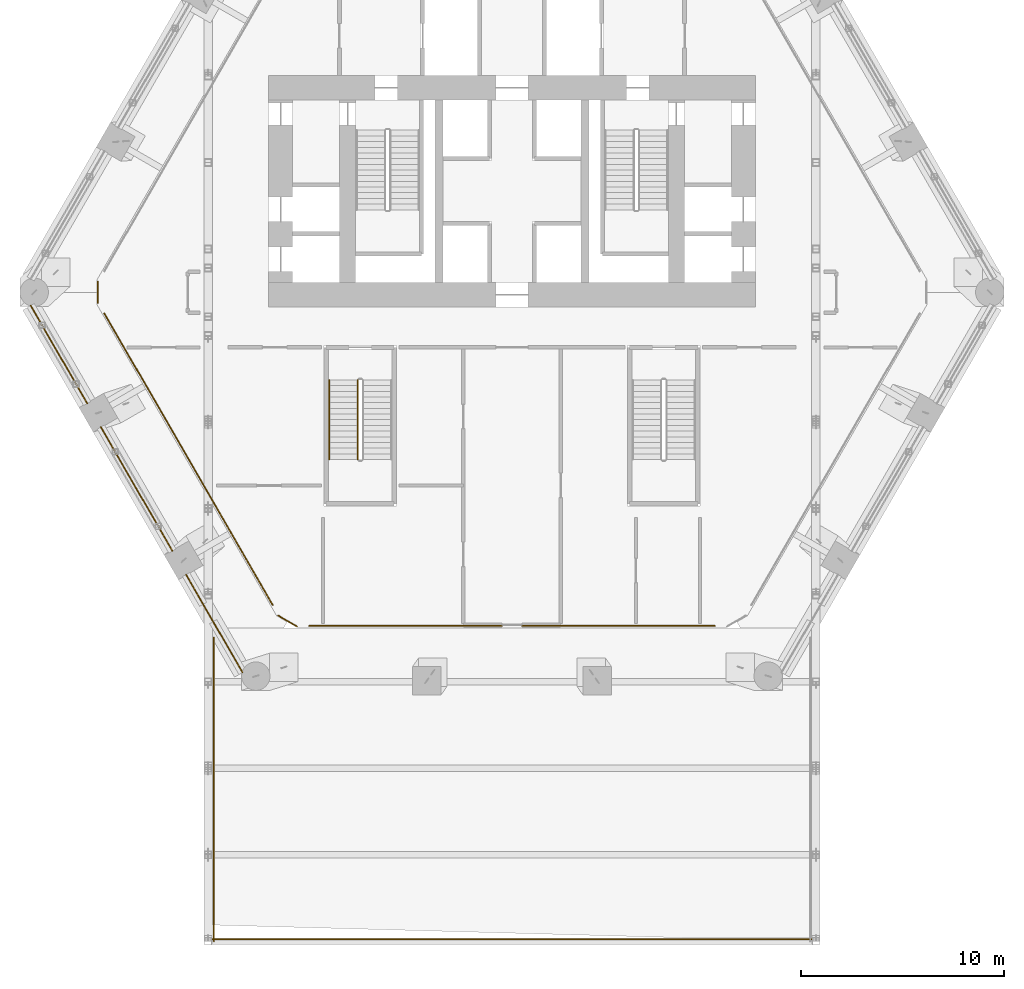
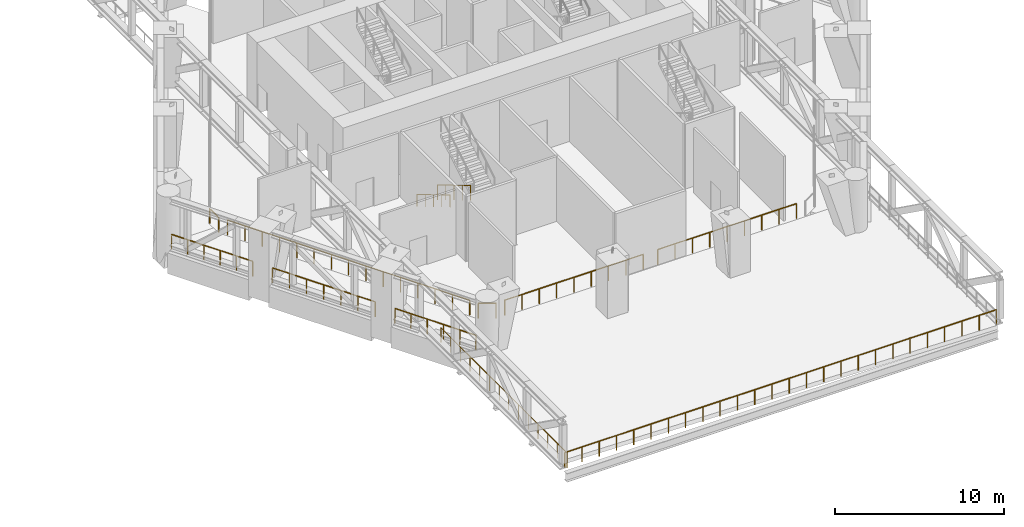
# One storey, part 16 of 20: 12 railings.
"""IFC4 building model written with IfcOpenShell, lengths in metres."""

from ifc_helpers import new_model, si_unit, direction, frame, origin, origin_2d, place, context, subcontext, project, spatial, circle, extrude, material, type_object, element, save


model = new_model("IFC4")

# Units and contexts
model_context = context("Model", 3, precision=1e-05, world=origin(), true_north=direction((0.0, 1.0)))
body_context = subcontext(model_context, "Body", "Model", "MODEL_VIEW")
ifc_project = project(units=[si_unit("LENGTHUNIT", "METRE"), si_unit("AREAUNIT", "SQUARE_METRE"), si_unit("VOLUMEUNIT", "CUBIC_METRE"), si_unit("PLANEANGLEUNIT", "RADIAN"), si_unit("MASSUNIT", "GRAM", prefix="KILO")], contexts=[model_context])

# Site, building, storey
site_placement = place(None, origin())
site = spatial("IfcSite", under=ifc_project, at=site_placement, CompositionType="ELEMENT")
building_placement = place(site_placement, origin())
building = spatial("IfcBuilding", under=site, at=building_placement, Name="Ostrander Bayou Hotel Tower", CompositionType="ELEMENT")
storey_placement = place(building_placement, frame((0.0, 0.0, 80.5)))
storey = spatial("IfcBuildingStorey", under=building, at=storey_placement, Name="L20", CompositionType="ELEMENT", Elevation=80.5)

# Railings
ifc_material_1 = material(Name="Stainless steel and clear glass", Category="steel")
railing_type_1 = type_object("IfcRailingType", Name="GR1 guard 1100 mm", PredefinedType="GUARDRAIL", material=ifc_material_1)
railing_1_placement = place(storey_placement, frame((-23.707275390625, -1.637939453125, 0.0)))
element("IfcRailing", 1, at=railing_1_placement, inside=storey, type_object=railing_type_1, Name="GR1 L20 SW-1 open band guard", PredefinedType="GUARDRAIL", context=body_context, shape_type="SweptSolid", body=[
    extrude(circle(Radius=0.02490234375, at=origin_2d()), frame((0.0, 0.0, 1.0751953125), z_axis=(0.500009557824, -0.866019885502, 0.0), x_axis=(0.866019885502, 0.500009557824, 0.0)), (0.0, 0.0, 1.0), 5.56982421875),
    extrude(circle(Radius=0.02001953125, at=origin_2d()), origin(), (0.0, 0.0, 1.0), 1.050048828125),
    extrude(circle(Radius=0.02001953125, at=origin_2d()), frame((0.556884765625, -0.964599609375, 0.0)), (0.0, 0.0, 1.0), 1.050048828125),
    extrude(circle(Radius=0.02001953125, at=origin_2d()), frame((1.114013671875, -1.929443359375, 0.0)), (0.0, 0.0, 1.0), 1.050048828125),
    extrude(circle(Radius=0.02001953125, at=origin_2d()), frame((1.6708984375, -2.89404296875, 0.0)), (0.0, 0.0, 1.0), 1.050048828125),
    extrude(circle(Radius=0.02001953125, at=origin_2d()), frame((2.22802734375, -3.85888671875, 0.0)), (0.0, 0.0, 1.0), 1.050048828125),
    extrude(circle(Radius=0.02001953125, at=origin_2d()), frame((2.784912109375, -4.823486328125, 0.0)), (0.0, 0.0, 1.0), 1.050048828125),
])
railing_2_placement = place(storey_placement, frame((-20.252197265625, -7.621826171875, 0.0)))
element("IfcRailing", 2, at=railing_2_placement, inside=storey, type_object=railing_type_1, Name="GR1 L20 SW-2 open band guard", PredefinedType="GUARDRAIL", context=body_context, shape_type="SweptSolid", body=[
    extrude(circle(Radius=0.02490234375, at=origin_2d()), frame((0.0, 0.0, 1.0751953125), z_axis=(0.499997206141, -0.866027016814, 0.0), x_axis=(0.866027016814, 0.499997206141, 0.0)), (0.0, 0.0, 1.0), 7.05078125),
    extrude(circle(Radius=0.02001953125, at=origin_2d()), origin(), (0.0, 0.0, 1.0), 1.050048828125),
    extrude(circle(Radius=0.02001953125, at=origin_2d()), frame((0.587646484375, -1.017578125, 0.0)), (0.0, 0.0, 1.0), 1.050048828125),
    extrude(circle(Radius=0.02001953125, at=origin_2d()), frame((1.175048828125, -2.035400390625, 0.0)), (0.0, 0.0, 1.0), 1.050048828125),
    extrude(circle(Radius=0.02001953125, at=origin_2d()), frame((1.7626953125, -3.05322265625, 0.0)), (0.0, 0.0, 1.0), 1.050048828125),
    extrude(circle(Radius=0.02001953125, at=origin_2d()), frame((2.350341796875, -4.07080078125, 0.0)), (0.0, 0.0, 1.0), 1.050048828125),
    extrude(circle(Radius=0.02001953125, at=origin_2d()), frame((2.937744140625, -5.08837890625, 0.0)), (0.0, 0.0, 1.0), 1.050048828125),
    extrude(circle(Radius=0.02001953125, at=origin_2d()), frame((3.525390625, -6.106201171875, 0.0)), (0.0, 0.0, 1.0), 1.050048828125),
])
railing_3_placement = place(storey_placement, frame((-16.056884765625, -14.888671875, 0.0)))
element("IfcRailing", 3, at=railing_3_placement, inside=storey, type_object=railing_type_1, Name="GR1 L20 SW-3 open band guard", PredefinedType="GUARDRAIL", context=body_context, shape_type="SweptSolid", body=[
    extrude(circle(Radius=0.02490234375, at=origin_2d()), frame((0.0, 0.0, 1.0751953125), z_axis=(0.499976681983, -0.866038866029, 0.0), x_axis=(0.866038866029, 0.499976681983, 0.0)), (0.0, 0.0, 1.0), 5.569580078125),
    extrude(circle(Radius=0.02001953125, at=origin_2d()), origin(), (0.0, 0.0, 1.0), 1.050048828125),
    extrude(circle(Radius=0.02001953125, at=origin_2d()), frame((0.556884765625, -0.964599609375, 0.0)), (0.0, 0.0, 1.0), 1.050048828125),
    extrude(circle(Radius=0.02001953125, at=origin_2d()), frame((1.11376953125, -1.929443359375, 0.0)), (0.0, 0.0, 1.0), 1.050048828125),
    extrude(circle(Radius=0.02001953125, at=origin_2d()), frame((1.6708984375, -2.89404296875, 0.0)), (0.0, 0.0, 1.0), 1.050048828125),
    extrude(circle(Radius=0.02001953125, at=origin_2d()), frame((2.227783203125, -3.85888671875, 0.0)), (0.0, 0.0, 1.0), 1.050048828125),
    extrude(circle(Radius=0.02001953125, at=origin_2d()), frame((2.78466796875, -4.823486328125, 0.0)), (0.0, 0.0, 1.0), 1.050048828125),
])
railing_4_placement = place(storey_placement, frame((-20.40087890625, -0.449462890625, 0.0)))
element("IfcRailing", 4, at=railing_4_placement, inside=storey, type_object=railing_type_1, Name="GR1 L20 corner guard 2", PredefinedType="GUARDRAIL", context=body_context, shape_type="SweptSolid", body=[
    extrude(circle(Radius=0.02490234375, at=origin_2d()), frame((0.0, 0.0, 1.0751953125), z_axis=(0.0, -1.0, 0.0), x_axis=(1.0, 0.0, 0.0)), (0.0, 0.0, 1.0), 1.06494140625),
    extrude(circle(Radius=0.02001953125, at=origin_2d()), origin(), (0.0, 0.0, 1.0), 1.050048828125),
    extrude(circle(Radius=0.02001953125, at=origin_2d()), frame((0.0, -1.06494140625, 0.0)), (0.0, 0.0, 1.0), 1.050048828125),
])
railing_5_placement = place(storey_placement, frame((-11.511962890625, -16.91064453125, 0.0)))
element("IfcRailing", 5, at=railing_5_placement, inside=storey, type_object=railing_type_1, Name="GR1 L20 corner guard 3", PredefinedType="GUARDRAIL", context=body_context, shape_type="SweptSolid", body=[
    extrude(circle(Radius=0.02490234375, at=origin_2d()), frame((0.0, 0.0, 1.0751953125), z_axis=(0.866048165231, -0.499960573946, 0.0), x_axis=(0.499960573946, 0.866048165231, 0.0)), (0.0, 0.0, 1.0), 1.06494140625),
    extrude(circle(Radius=0.02001953125, at=origin_2d()), origin(), (0.0, 0.0, 1.0), 1.050048828125),
    extrude(circle(Radius=0.02001953125, at=origin_2d()), frame((0.92236328125, -0.532470703125, 0.0)), (0.0, 0.0, 1.0), 1.050048828125),
])
railing_6_placement = place(storey_placement, frame((-11.789794921875, -16.37939453125, 0.0)))
element("IfcRailing", 6, at=railing_6_placement, inside=storey, type_object=railing_type_1, Name="GR1 L20 edge guard 5", PredefinedType="GUARDRAIL", context=body_context, shape_type="SweptSolid", body=[
    extrude(circle(Radius=0.02490234375, at=origin_2d()), frame((0.0, 0.0, 1.0751953125), z_axis=(-0.499996921781, 0.866027180988, 0.0), x_axis=(-0.866027180988, -0.499996921781, 0.0)), (0.0, 0.0, 1.0), 16.580078125),
    extrude(circle(Radius=0.02001953125, at=origin_2d()), origin(), (0.0, 0.0, 1.0), 1.050048828125),
    extrude(circle(Radius=0.02001953125, at=origin_2d()), frame((-0.592041015625, 1.025634765625, 0.0)), (0.0, 0.0, 1.0), 1.050048828125),
    extrude(circle(Radius=0.02001953125, at=origin_2d()), frame((-1.184326171875, 2.05126953125, 0.0)), (0.0, 0.0, 1.0), 1.050048828125),
    extrude(circle(Radius=0.02001953125, at=origin_2d()), frame((-1.7763671875, 3.076904296875, 0.0)), (0.0, 0.0, 1.0), 1.050048828125),
    extrude(circle(Radius=0.02001953125, at=origin_2d()), frame((-2.36865234375, 4.1025390625, 0.0)), (0.0, 0.0, 1.0), 1.050048828125),
    extrude(circle(Radius=0.02001953125, at=origin_2d()), frame((-2.960693359375, 5.128173828125, 0.0)), (0.0, 0.0, 1.0), 1.050048828125),
    extrude(circle(Radius=0.02001953125, at=origin_2d()), frame((-3.552978515625, 6.15380859375, 0.0)), (0.0, 0.0, 1.0), 1.050048828125),
    extrude(circle(Radius=0.02001953125, at=origin_2d()), frame((-4.14501953125, 7.179443359375, 0.0)), (0.0, 0.0, 1.0), 1.050048828125),
    extrude(circle(Radius=0.02001953125, at=origin_2d()), frame((-4.737060546875, 8.205078125, 0.0)), (0.0, 0.0, 1.0), 1.050048828125),
    extrude(circle(Radius=0.02001953125, at=origin_2d()), frame((-5.329345703125, 9.230712890625, 0.0)), (0.0, 0.0, 1.0), 1.050048828125),
    extrude(circle(Radius=0.02001953125, at=origin_2d()), frame((-5.92138671875, 10.25634765625, 0.0)), (0.0, 0.0, 1.0), 1.050048828125),
    extrude(circle(Radius=0.02001953125, at=origin_2d()), frame((-6.513671875, 11.281982421875, 0.0)), (0.0, 0.0, 1.0), 1.050048828125),
    extrude(circle(Radius=0.02001953125, at=origin_2d()), frame((-7.105712890625, 12.3076171875, 0.0)), (0.0, 0.0, 1.0), 1.050048828125),
    extrude(circle(Radius=0.02001953125, at=origin_2d()), frame((-7.697998046875, 13.333251953125, 0.0)), (0.0, 0.0, 1.0), 1.050048828125),
    extrude(circle(Radius=0.02001953125, at=origin_2d()), frame((-8.2900390625, 14.35888671875, 0.0)), (0.0, 0.0, 1.0), 1.050048828125),
])
railing_7_placement = place(storey_placement, frame((-14.687255859375, -17.98779296875, 0.0)))
element("IfcRailing", 7, at=railing_7_placement, inside=storey, type_object=railing_type_1, Name="GR1 bar roof guard SB1 2", PredefinedType="GUARDRAIL", context=body_context, shape_type="SweptSolid", body=[
    extrude(circle(Radius=0.02490234375, at=origin_2d()), frame((0.0, 0.0, 1.0751953125), z_axis=(0.0, -1.0, 0.0), x_axis=(1.0, 0.0, 0.0)), (0.0, 0.0, 1.0), 14.962158203125),
    extrude(circle(Radius=0.02001953125, at=origin_2d()), origin(), (0.0, 0.0, 1.0), 1.050048828125),
    extrude(circle(Radius=0.02001953125, at=origin_2d()), frame((0.0, -1.15087890625, 0.0)), (0.0, 0.0, 1.0), 1.050048828125),
    extrude(circle(Radius=0.02001953125, at=origin_2d()), frame((0.0, -2.3017578125, 0.0)), (0.0, 0.0, 1.0), 1.050048828125),
    extrude(circle(Radius=0.02001953125, at=origin_2d()), frame((0.0, -3.452880859375, 0.0)), (0.0, 0.0, 1.0), 1.050048828125),
    extrude(circle(Radius=0.02001953125, at=origin_2d()), frame((0.0, -4.603759765625, 0.0)), (0.0, 0.0, 1.0), 1.050048828125),
    extrude(circle(Radius=0.02001953125, at=origin_2d()), frame((0.0, -5.754638671875, 0.0)), (0.0, 0.0, 1.0), 1.050048828125),
    extrude(circle(Radius=0.02001953125, at=origin_2d()), frame((0.0, -6.905517578125, 0.0)), (0.0, 0.0, 1.0), 1.050048828125),
    extrude(circle(Radius=0.02001953125, at=origin_2d()), frame((0.0, -8.056640625, 0.0)), (0.0, 0.0, 1.0), 1.050048828125),
    extrude(circle(Radius=0.02001953125, at=origin_2d()), frame((0.0, -9.20751953125, 0.0)), (0.0, 0.0, 1.0), 1.050048828125),
    extrude(circle(Radius=0.02001953125, at=origin_2d()), frame((0.0, -10.3583984375, 0.0)), (0.0, 0.0, 1.0), 1.050048828125),
    extrude(circle(Radius=0.02001953125, at=origin_2d()), frame((0.0, -11.50927734375, 0.0)), (0.0, 0.0, 1.0), 1.050048828125),
    extrude(circle(Radius=0.02001953125, at=origin_2d()), frame((0.0, -12.660400390625, 0.0)), (0.0, 0.0, 1.0), 1.050048828125),
    extrude(circle(Radius=0.02001953125, at=origin_2d()), frame((0.0, -13.811279296875, 0.0)), (0.0, 0.0, 1.0), 1.050048828125),
    extrude(circle(Radius=0.02001953125, at=origin_2d()), frame((0.0, -14.962158203125, 0.0)), (0.0, 0.0, 1.0), 1.050048828125),
])
railing_8_placement = place(storey_placement, frame((-14.787109375, -32.85009765625, 0.0)))
element("IfcRailing", 8, at=railing_8_placement, inside=storey, type_object=railing_type_1, Name="GR1 bar roof guard SB1 3", PredefinedType="GUARDRAIL", context=body_context, shape_type="SweptSolid", body=[
    extrude(circle(Radius=0.02490234375, at=origin_2d()), frame((0.0, 0.0, 1.0751953125), z_axis=(1.0, 0.0, 0.0), x_axis=(0.0, 1.0, 0.0)), (0.0, 0.0, 1.0), 29.57421875),
    extrude(circle(Radius=0.02001953125, at=origin_2d()), origin(), (0.0, 0.0, 1.0), 1.050048828125),
    extrude(circle(Radius=0.02001953125, at=origin_2d()), frame((1.182861328125, 0.0, 0.0)), (0.0, 0.0, 1.0), 1.050048828125),
    extrude(circle(Radius=0.02001953125, at=origin_2d()), frame((2.365966796875, 0.0, 0.0)), (0.0, 0.0, 1.0), 1.050048828125),
    extrude(circle(Radius=0.02001953125, at=origin_2d()), frame((3.548828125, 0.0, 0.0)), (0.0, 0.0, 1.0), 1.050048828125),
    extrude(circle(Radius=0.02001953125, at=origin_2d()), frame((4.73193359375, 0.0, 0.0)), (0.0, 0.0, 1.0), 1.050048828125),
    extrude(circle(Radius=0.02001953125, at=origin_2d()), frame((5.914794921875, 0.0, 0.0)), (0.0, 0.0, 1.0), 1.050048828125),
    extrude(circle(Radius=0.02001953125, at=origin_2d()), frame((7.097900390625, 0.0, 0.0)), (0.0, 0.0, 1.0), 1.050048828125),
    extrude(circle(Radius=0.02001953125, at=origin_2d()), frame((8.28076171875, 0.0, 0.0)), (0.0, 0.0, 1.0), 1.050048828125),
    extrude(circle(Radius=0.02001953125, at=origin_2d()), frame((9.4638671875, 0.0, 0.0)), (0.0, 0.0, 1.0), 1.050048828125),
    extrude(circle(Radius=0.02001953125, at=origin_2d()), frame((10.646728515625, 0.0, 0.0)), (0.0, 0.0, 1.0), 1.050048828125),
    extrude(circle(Radius=0.02001953125, at=origin_2d()), frame((11.82958984375, 0.0, 0.0)), (0.0, 0.0, 1.0), 1.050048828125),
    extrude(circle(Radius=0.02001953125, at=origin_2d()), frame((13.0126953125, 0.0, 0.0)), (0.0, 0.0, 1.0), 1.050048828125),
    extrude(circle(Radius=0.02001953125, at=origin_2d()), frame((14.195556640625, 0.0, 0.0)), (0.0, 0.0, 1.0), 1.050048828125),
    extrude(circle(Radius=0.02001953125, at=origin_2d()), frame((15.378662109375, 0.0, 0.0)), (0.0, 0.0, 1.0), 1.050048828125),
    extrude(circle(Radius=0.02001953125, at=origin_2d()), frame((16.5615234375, 0.0, 0.0)), (0.0, 0.0, 1.0), 1.050048828125),
    extrude(circle(Radius=0.02001953125, at=origin_2d()), frame((17.74462890625, 0.0, 0.0)), (0.0, 0.0, 1.0), 1.050048828125),
    extrude(circle(Radius=0.02001953125, at=origin_2d()), frame((18.927490234375, 0.0, 0.0)), (0.0, 0.0, 1.0), 1.050048828125),
    extrude(circle(Radius=0.02001953125, at=origin_2d()), frame((20.1103515625, 0.0, 0.0)), (0.0, 0.0, 1.0), 1.050048828125),
    extrude(circle(Radius=0.02001953125, at=origin_2d()), frame((21.29345703125, 0.0, 0.0)), (0.0, 0.0, 1.0), 1.050048828125),
    extrude(circle(Radius=0.02001953125, at=origin_2d()), frame((22.476318359375, 0.0, 0.0)), (0.0, 0.0, 1.0), 1.050048828125),
    extrude(circle(Radius=0.02001953125, at=origin_2d()), frame((23.659423828125, 0.0, 0.0)), (0.0, 0.0, 1.0), 1.050048828125),
    extrude(circle(Radius=0.02001953125, at=origin_2d()), frame((24.84228515625, 0.0, 0.0)), (0.0, 0.0, 1.0), 1.050048828125),
    extrude(circle(Radius=0.02001953125, at=origin_2d()), frame((26.025390625, 0.0, 0.0)), (0.0, 0.0, 1.0), 1.050048828125),
    extrude(circle(Radius=0.02001953125, at=origin_2d()), frame((27.208251953125, 0.0, 0.0)), (0.0, 0.0, 1.0), 1.050048828125),
    extrude(circle(Radius=0.02001953125, at=origin_2d()), frame((28.391357421875, 0.0, 0.0)), (0.0, 0.0, 1.0), 1.050048828125),
    extrude(circle(Radius=0.02001953125, at=origin_2d()), frame((29.57421875, 0.0, 0.0)), (0.0, 0.0, 1.0), 1.050048828125),
])
for number, where, name in (
    (9, (9.99072265625, -17.418212890625, 0.0), "GR1 L20 edge guard 4"),
    (10, (-0.5, -17.418212890625, 0.0), "GR1 L20 edge guard 4"),
):
    element("IfcRailing", number, at=place(storey_placement, frame(where)), inside=storey, type_object=railing_type_1, Name=name, PredefinedType="GUARDRAIL", context=body_context, shape_type="SweptSolid", body=[
        extrude(circle(Radius=0.02490234375, at=origin_2d()), frame((0.0, 0.0, 1.0751953125), z_axis=(-1.0, 0.0, 0.0), x_axis=(0.0, -1.0, 0.0)), (0.0, 0.0, 1.0), 9.49072265625),
        extrude(circle(Radius=0.02001953125, at=origin_2d()), origin(), (0.0, 0.0, 1.0), 1.050048828125),
        extrude(circle(Radius=0.02001953125, at=origin_2d()), frame((-1.186279296875, 0.0, 0.0)), (0.0, 0.0, 1.0), 1.050048828125),
        extrude(circle(Radius=0.02001953125, at=origin_2d()), frame((-2.37255859375, 0.0, 0.0)), (0.0, 0.0, 1.0), 1.050048828125),
        extrude(circle(Radius=0.02001953125, at=origin_2d()), frame((-3.55908203125, 0.0, 0.0)), (0.0, 0.0, 1.0), 1.050048828125),
        extrude(circle(Radius=0.02001953125, at=origin_2d()), frame((-4.745361328125, 0.0, 0.0)), (0.0, 0.0, 1.0), 1.050048828125),
        extrude(circle(Radius=0.02001953125, at=origin_2d()), frame((-5.931640625, 0.0, 0.0)), (0.0, 0.0, 1.0), 1.050048828125),
        extrude(circle(Radius=0.02001953125, at=origin_2d()), frame((-7.1181640625, 0.0, 0.0)), (0.0, 0.0, 1.0), 1.050048828125),
        extrude(circle(Radius=0.02001953125, at=origin_2d()), frame((-8.304443359375, 0.0, 0.0)), (0.0, 0.0, 1.0), 1.050048828125),
        extrude(circle(Radius=0.02001953125, at=origin_2d()), frame((-9.49072265625, 0.0, 0.0)), (0.0, 0.0, 1.0), 1.050048828125),
    ])
ifc_material_2 = material(Name="Steel ASTM A500 Gr C", Category="steel")
railing_type_2 = type_object("IfcRailingType", Name="GR1 stair guard 1100 mm steel", PredefinedType="GUARDRAIL", material=ifc_material_2)
railing_9_placement = place(storey_placement, frame((-7.60009765625, -5.300048828125, 0.166748046875)))
element("IfcRailing", 11, at=railing_9_placement, inside=storey, type_object=railing_type_2, Name="L20 STD stair guard 1", PredefinedType="GUARDRAIL", context=body_context, shape_type="SweptSolid", body=[
    extrude(circle(Radius=0.02392578125, at=origin_2d()), frame((0.0, 0.0, 1.076171875), z_axis=(0.0, -0.859296244711, 0.511478214419), x_axis=(1.0, 0.0, 0.0)), (0.0, 0.0, 1.0), 4.561767578125),
    extrude(circle(Radius=0.02099609375, at=origin_2d()), origin(), (0.0, 0.0, 1.0), 1.052001953125),
    extrude(circle(Radius=0.02099609375, at=origin_2d()), frame((0.0, -0.97998046875, 0.583251953125)), (0.0, 0.0, 1.0), 1.052001953125),
    extrude(circle(Radius=0.02099609375, at=origin_2d()), frame((0.0, -1.9599609375, 1.16650390625)), (0.0, 0.0, 1.0), 1.052001953125),
    extrude(circle(Radius=0.02099609375, at=origin_2d()), frame((0.0, -2.93994140625, 1.75)), (0.0, 0.0, 1.0), 1.052001953125),
    extrude(circle(Radius=0.02099609375, at=origin_2d()), frame((0.0, -3.919921875, 2.333251953125)), (0.0, 0.0, 1.0), 1.052001953125),
])
ifc_material_3 = material(Name="Steel ASTM A500 Gr C", Category="steel")
railing_type_3 = type_object("IfcRailingType", Name="HR1 stair handrail 900 mm steel", PredefinedType="HANDRAIL", material=ifc_material_3)
railing_10_placement = place(storey_placement, frame((-9.0, -5.300048828125, 0.166748046875)))
element("IfcRailing", 12, at=railing_10_placement, inside=storey, type_object=railing_type_3, Name="L20 STD stair handrail 1", PredefinedType="HANDRAIL", context=body_context, shape_type="SweptSolid", body=[
    extrude(circle(Radius=0.02392578125, at=origin_2d()), frame((0.0, 0.0, 0.8759765625), z_axis=(0.0, -0.859296244711, 0.511478214419), x_axis=(1.0, 0.0, 0.0)), (0.0, 0.0, 1.0), 4.561767578125),
    extrude(circle(Radius=0.02099609375, at=origin_2d()), origin(), (0.0, 0.0, 1.0), 0.851806640625),
    extrude(circle(Radius=0.02099609375, at=origin_2d()), frame((0.0, -0.97998046875, 0.583251953125)), (0.0, 0.0, 1.0), 0.851806640625),
    extrude(circle(Radius=0.02099609375, at=origin_2d()), frame((0.0, -1.9599609375, 1.16650390625)), (0.0, 0.0, 1.0), 0.851806640625),
    extrude(circle(Radius=0.02099609375, at=origin_2d()), frame((0.0, -2.93994140625, 1.75)), (0.0, 0.0, 1.0), 0.851806640625),
    extrude(circle(Radius=0.02099609375, at=origin_2d()), frame((0.0, -3.919921875, 2.333251953125)), (0.0, 0.0, 1.0), 0.851806640625),
])

save(model, "model.ifc")
